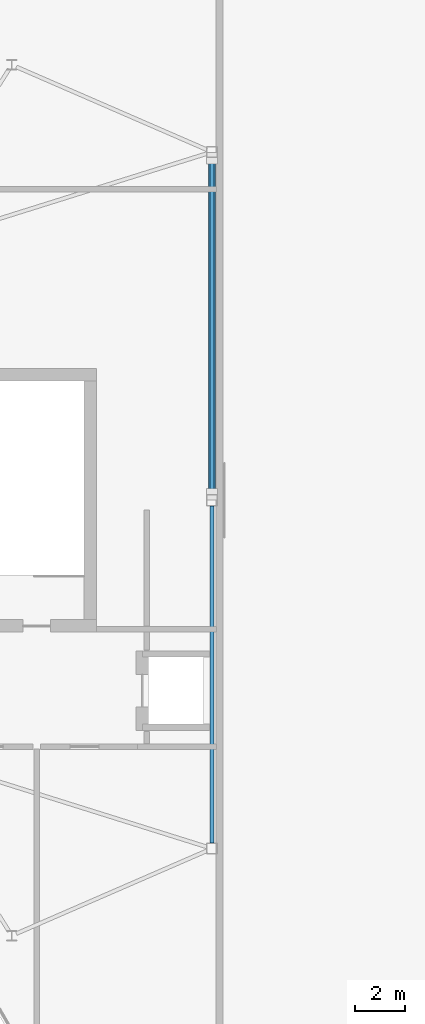
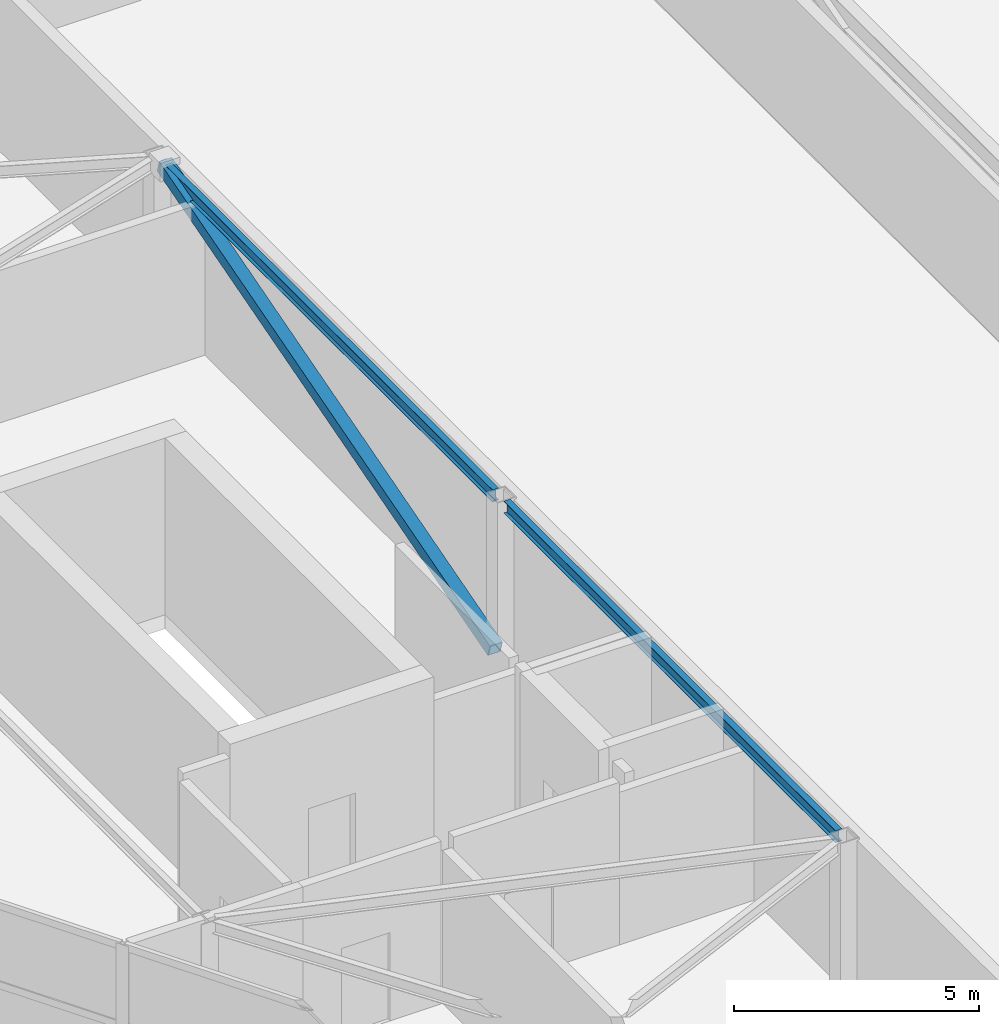
# One storey, part 5 of 14: 2 beams, 1 member.
"""IFC4 building model written with IfcOpenShell, lengths in metres."""

from ifc_helpers import new_model, si_unit, direction, frame, origin, origin_2d, place, context, subcontext, project, spatial, hollow_rectangle, i_section, extrude, material, material_profile, profile_set, type_object, element, save


model = new_model("IFC4")

# Units and contexts
model_context = context("Model", 3, precision=1e-05, world=origin(), true_north=direction((0.0, 1.0)))
body_context = subcontext(model_context, "Body", "Model", "MODEL_VIEW")
ifc_project = project(units=[si_unit("LENGTHUNIT", "METRE"), si_unit("AREAUNIT", "SQUARE_METRE"), si_unit("VOLUMEUNIT", "CUBIC_METRE"), si_unit("PLANEANGLEUNIT", "RADIAN"), si_unit("MASSUNIT", "GRAM", prefix="KILO")], contexts=[model_context])

# Site, building, storey
site_placement = place(None, origin())
site = spatial("IfcSite", under=ifc_project, at=site_placement, CompositionType="ELEMENT")
building_placement = place(site_placement, origin())
building = spatial("IfcBuilding", under=site, at=building_placement, Name="Zuhravey Tower", CompositionType="ELEMENT")
storey_placement = place(building_placement, frame((0.0, 0.0, 379.0)))
storey = spatial("IfcBuildingStorey", under=building, at=storey_placement, Name="L96", CompositionType="ELEMENT", Elevation=379.0)

# Member
ifc_material = material(Name="Steel SM355", Category="steel")
ifc_material_profile_1 = material_profile(ifc_material, hollow_rectangle(XDim=0.300048828125, YDim=0.300048828125, WallThickness=0.01611328125, at=origin_2d()), Name="RHS-300x300x16")
ifc_profile_set_1 = profile_set([ifc_material_profile_1], Name="Steel SM355")
member_type = type_object("IfcMemberType", Name="Crown Frame Strut RHS300x300", PredefinedType="STRUT", material=ifc_profile_set_1)
member_placement = place(storey_placement, frame((28.550048828125, 32.249267578125, 0.10546875), z_axis=(0.0, 0.960932258658, 0.27678365969), x_axis=(-1.0, 0.0, 0.0)))
element("IfcMember", 1, at=member_placement, inside=storey, type_object=member_type, Name="L96 West Crest Portal Frame Strut CFS1", PredefinedType="STRUT", context=body_context, shape_type="SweptSolid", body=[
    extrude(hollow_rectangle(XDim=0.300048828125, YDim=0.300048828125, WallThickness=0.01611328125, at=origin_2d()), origin(), (0.0, 0.0, 1.0), 14.05029296875),
])

# Beams
ifc_material_profile_2 = material_profile(ifc_material, i_section(OverallWidth=0.14990234375, OverallDepth=0.300048828125, WebThickness=0.007080078125, FlangeThickness=0.010009765625, at=origin_2d()), Name="H-300x150x7x10")
ifc_profile_set_2 = profile_set([ifc_material_profile_2], Name="Steel SM355")
beam_type = type_object("IfcBeamType", Name="Crown Roof Purlin H300x150", PredefinedType="USERDEFINED", material=ifc_profile_set_2)
for number, where, z_axis, x_axis, name in (
    (2, (28.550048828125, 18.22900390625, 3.949951171875), (0.0, 1.0, 0.0), (-1.0, 0.0, 0.0), "L96 CRP1 BM-L96-WCR-4-5"),
    (3, (28.550048828125, 32.22900390625, 3.949951171875), (0.0, 1.0, 0.0), (-1.0, 0.0, 0.0), "L96 CRP1 BM-L96-WCR-5-6"),
):
    element("IfcBeam", number, at=place(storey_placement, frame(where, z_axis=z_axis, x_axis=x_axis)), inside=storey, type_object=beam_type, Name=name, ObjectType="PURLIN", PredefinedType="USERDEFINED", context=body_context, shape_type="SweptSolid", body=[
        extrude(i_section(OverallWidth=0.14990234375, OverallDepth=0.300048828125, WebThickness=0.007080078125, FlangeThickness=0.010009765625, at=origin_2d()), origin(), (0.0, 0.0, 1.0), 13.5419921875),
    ])

save(model, "model.ifc")
